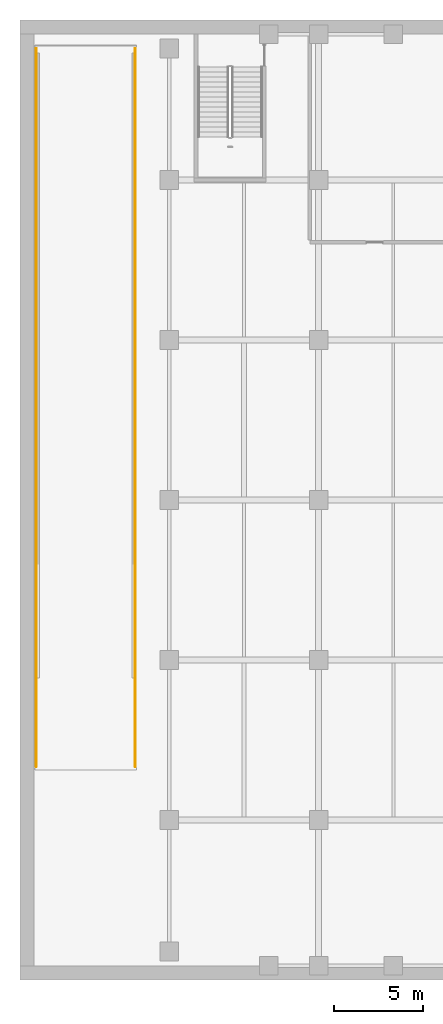
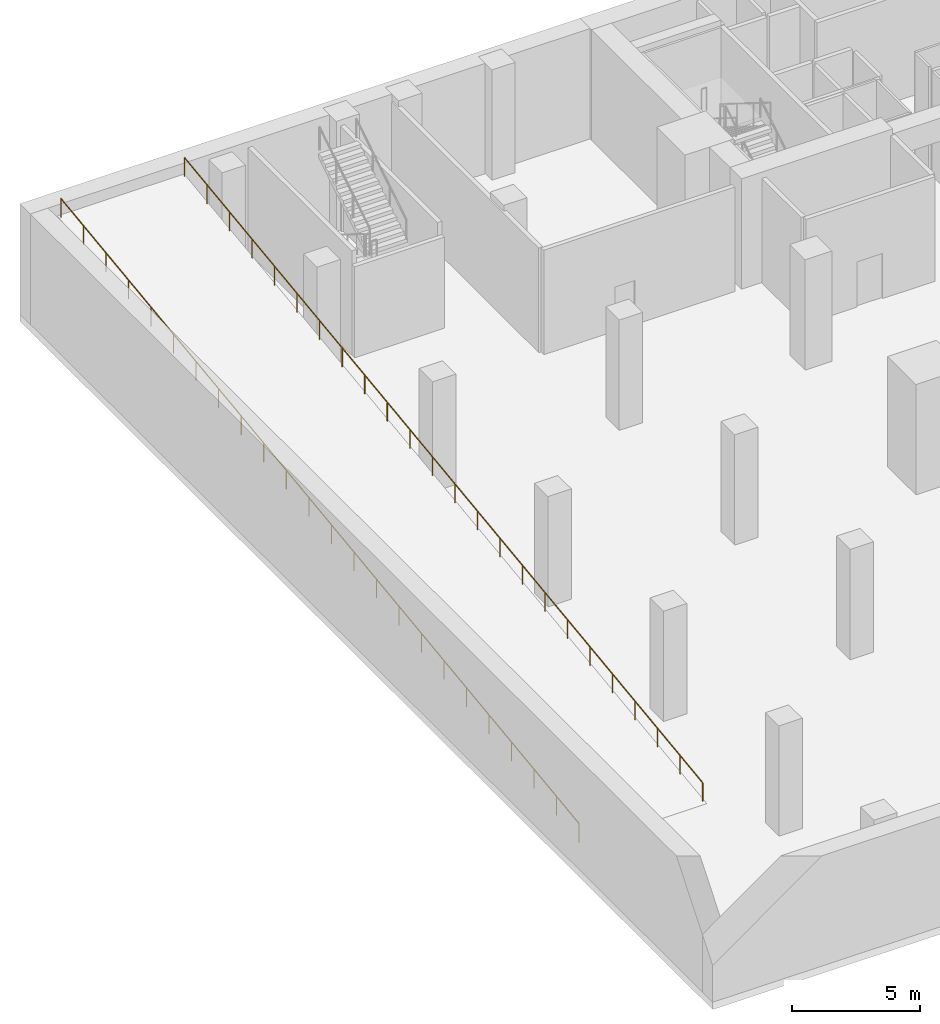
# One storey, part 7 of 10: 2 railings.
"""IFC4 building model written with IfcOpenShell, lengths in metres."""

from ifc_helpers import new_model, si_unit, direction, frame, origin, origin_2d, place, context, subcontext, project, spatial, circle, extrude, material, type_object, element, save


model = new_model("IFC4")

# Units and contexts
model_context = context("Model", 3, precision=1e-05, world=origin(), true_north=direction((0.0, 1.0)))
body_context = subcontext(model_context, "Body", "Model", "MODEL_VIEW")
ifc_project = project(units=[si_unit("LENGTHUNIT", "METRE"), si_unit("AREAUNIT", "SQUARE_METRE"), si_unit("VOLUMEUNIT", "CUBIC_METRE"), si_unit("PLANEANGLEUNIT", "RADIAN"), si_unit("MASSUNIT", "GRAM", prefix="KILO")], contexts=[model_context])

# Site, building, storey
site_placement = place(None, origin())
site = spatial("IfcSite", under=ifc_project, at=site_placement, CompositionType="ELEMENT")
building_placement = place(site_placement, origin())
building = spatial("IfcBuilding", under=site, at=building_placement, Name="Maruvema Waterfront Hotel and Observation Tower", CompositionType="ELEMENT")
storey_placement = place(building_placement, frame((0.0, 0.0, -5.25)))
storey = spatial("IfcBuildingStorey", under=building, at=storey_placement, Name="B01", CompositionType="ELEMENT", Elevation=-5.25)

# Railings
ifc_material = material(Name="Brushed stainless steel Grade 316", Category="steel")
railing_type = type_object("IfcRailingType", Name="Ramp Continuous Wall Handrail 920 mm", PredefinedType="HANDRAIL", material=ifc_material)
railing_1_placement = place(storey_placement, frame((0.919921875, 12.0, 0.0)))
element("IfcRailing", 1, at=railing_1_placement, inside=storey, type_object=railing_type, Name="Vehicle Ramp RMP-01 West Handrail", PredefinedType="HANDRAIL", context=body_context, shape_type="SweptSolid", body=[
    extrude(circle(Radius=0.02392578125, at=origin_2d()), frame((0.0, 0.0, 0.89599609375), z_axis=(0.0, 0.99166185228, 0.128867260128), x_axis=(-1.0, 0.0, 0.0)), (0.0, 0.0, 1.0), 40.739501953125),
    extrude(circle(Radius=0.02099609375, at=origin_2d()), origin(), (0.0, 0.0, 1.0), 0.871826171875),
    extrude(circle(Radius=0.02099609375, at=origin_2d()), frame((0.0, 1.756591796875, 0.228271484375)), (0.0, 0.0, 1.0), 0.871826171875),
    extrude(circle(Radius=0.02099609375, at=origin_2d()), frame((0.0, 3.512939453125, 0.45654296875)), (0.0, 0.0, 1.0), 0.871826171875),
    extrude(circle(Radius=0.02099609375, at=origin_2d()), frame((0.0, 5.26953125, 0.684814453125)), (0.0, 0.0, 1.0), 0.871826171875),
    extrude(circle(Radius=0.02099609375, at=origin_2d()), frame((0.0, 7.026123046875, 0.9130859375)), (0.0, 0.0, 1.0), 0.871826171875),
    extrude(circle(Radius=0.02099609375, at=origin_2d()), frame((0.0, 8.782470703125, 1.141357421875)), (0.0, 0.0, 1.0), 0.871826171875),
    extrude(circle(Radius=0.02099609375, at=origin_2d()), frame((0.0, 10.5390625, 1.36962890625)), (0.0, 0.0, 1.0), 0.871826171875),
    extrude(circle(Radius=0.02099609375, at=origin_2d()), frame((0.0, 12.295654296875, 1.597900390625)), (0.0, 0.0, 1.0), 0.871826171875),
    extrude(circle(Radius=0.02099609375, at=origin_2d()), frame((0.0, 14.05224609375, 1.826171875)), (0.0, 0.0, 1.0), 0.871826171875),
    extrude(circle(Radius=0.02099609375, at=origin_2d()), frame((0.0, 15.80859375, 2.054443359375)), (0.0, 0.0, 1.0), 0.871826171875),
    extrude(circle(Radius=0.02099609375, at=origin_2d()), frame((0.0, 17.565185546875, 2.28271484375)), (0.0, 0.0, 1.0), 0.871826171875),
    extrude(circle(Radius=0.02099609375, at=origin_2d()), frame((0.0, 19.32177734375, 2.510986328125)), (0.0, 0.0, 1.0), 0.871826171875),
    extrude(circle(Radius=0.02099609375, at=origin_2d()), frame((0.0, 21.078125, 2.739013671875)), (0.0, 0.0, 1.0), 0.871826171875),
    extrude(circle(Radius=0.02099609375, at=origin_2d()), frame((0.0, 22.834716796875, 2.96728515625)), (0.0, 0.0, 1.0), 0.871826171875),
    extrude(circle(Radius=0.02099609375, at=origin_2d()), frame((0.0, 24.59130859375, 3.195556640625)), (0.0, 0.0, 1.0), 0.871826171875),
    extrude(circle(Radius=0.02099609375, at=origin_2d()), frame((0.0, 26.34765625, 3.423828125)), (0.0, 0.0, 1.0), 0.871826171875),
    extrude(circle(Radius=0.02099609375, at=origin_2d()), frame((0.0, 28.104248046875, 3.652099609375)), (0.0, 0.0, 1.0), 0.871826171875),
    extrude(circle(Radius=0.02099609375, at=origin_2d()), frame((0.0, 29.86083984375, 3.88037109375)), (0.0, 0.0, 1.0), 0.871826171875),
    extrude(circle(Radius=0.02099609375, at=origin_2d()), frame((0.0, 31.617431640625, 4.108642578125)), (0.0, 0.0, 1.0), 0.871826171875),
    extrude(circle(Radius=0.02099609375, at=origin_2d()), frame((0.0, 33.373779296875, 4.3369140625)), (0.0, 0.0, 1.0), 0.871826171875),
    extrude(circle(Radius=0.02099609375, at=origin_2d()), frame((0.0, 35.13037109375, 4.565185546875)), (0.0, 0.0, 1.0), 0.871826171875),
    extrude(circle(Radius=0.02099609375, at=origin_2d()), frame((0.0, 36.886962890625, 4.79345703125)), (0.0, 0.0, 1.0), 0.871826171875),
    extrude(circle(Radius=0.02099609375, at=origin_2d()), frame((0.0, 38.643310546875, 5.021728515625)), (0.0, 0.0, 1.0), 0.871826171875),
    extrude(circle(Radius=0.02099609375, at=origin_2d()), frame((0.0, 40.39990234375, 5.25)), (0.0, 0.0, 1.0), 0.871826171875),
])
railing_2_placement = place(storey_placement, frame((6.47998046875, 12.0, 0.0)))
element("IfcRailing", 2, at=railing_2_placement, inside=storey, type_object=railing_type, Name="Vehicle Ramp RMP-01 East Handrail", PredefinedType="HANDRAIL", context=body_context, shape_type="SweptSolid", body=[
    extrude(circle(Radius=0.02392578125, at=origin_2d()), frame((0.0, 0.0, 0.89599609375), z_axis=(0.0, 0.99166185228, 0.128867260128), x_axis=(-1.0, 0.0, 0.0)), (0.0, 0.0, 1.0), 40.739501953125),
    extrude(circle(Radius=0.02099609375, at=origin_2d()), origin(), (0.0, 0.0, 1.0), 0.871826171875),
    extrude(circle(Radius=0.02099609375, at=origin_2d()), frame((0.0, 1.756591796875, 0.228271484375)), (0.0, 0.0, 1.0), 0.871826171875),
    extrude(circle(Radius=0.02099609375, at=origin_2d()), frame((0.0, 3.512939453125, 0.45654296875)), (0.0, 0.0, 1.0), 0.871826171875),
    extrude(circle(Radius=0.02099609375, at=origin_2d()), frame((0.0, 5.26953125, 0.684814453125)), (0.0, 0.0, 1.0), 0.871826171875),
    extrude(circle(Radius=0.02099609375, at=origin_2d()), frame((0.0, 7.026123046875, 0.9130859375)), (0.0, 0.0, 1.0), 0.871826171875),
    extrude(circle(Radius=0.02099609375, at=origin_2d()), frame((0.0, 8.782470703125, 1.141357421875)), (0.0, 0.0, 1.0), 0.871826171875),
    extrude(circle(Radius=0.02099609375, at=origin_2d()), frame((0.0, 10.5390625, 1.36962890625)), (0.0, 0.0, 1.0), 0.871826171875),
    extrude(circle(Radius=0.02099609375, at=origin_2d()), frame((0.0, 12.295654296875, 1.597900390625)), (0.0, 0.0, 1.0), 0.871826171875),
    extrude(circle(Radius=0.02099609375, at=origin_2d()), frame((0.0, 14.05224609375, 1.826171875)), (0.0, 0.0, 1.0), 0.871826171875),
    extrude(circle(Radius=0.02099609375, at=origin_2d()), frame((0.0, 15.80859375, 2.054443359375)), (0.0, 0.0, 1.0), 0.871826171875),
    extrude(circle(Radius=0.02099609375, at=origin_2d()), frame((0.0, 17.565185546875, 2.28271484375)), (0.0, 0.0, 1.0), 0.871826171875),
    extrude(circle(Radius=0.02099609375, at=origin_2d()), frame((0.0, 19.32177734375, 2.510986328125)), (0.0, 0.0, 1.0), 0.871826171875),
    extrude(circle(Radius=0.02099609375, at=origin_2d()), frame((0.0, 21.078125, 2.739013671875)), (0.0, 0.0, 1.0), 0.871826171875),
    extrude(circle(Radius=0.02099609375, at=origin_2d()), frame((0.0, 22.834716796875, 2.96728515625)), (0.0, 0.0, 1.0), 0.871826171875),
    extrude(circle(Radius=0.02099609375, at=origin_2d()), frame((0.0, 24.59130859375, 3.195556640625)), (0.0, 0.0, 1.0), 0.871826171875),
    extrude(circle(Radius=0.02099609375, at=origin_2d()), frame((0.0, 26.34765625, 3.423828125)), (0.0, 0.0, 1.0), 0.871826171875),
    extrude(circle(Radius=0.02099609375, at=origin_2d()), frame((0.0, 28.104248046875, 3.652099609375)), (0.0, 0.0, 1.0), 0.871826171875),
    extrude(circle(Radius=0.02099609375, at=origin_2d()), frame((0.0, 29.86083984375, 3.88037109375)), (0.0, 0.0, 1.0), 0.871826171875),
    extrude(circle(Radius=0.02099609375, at=origin_2d()), frame((0.0, 31.617431640625, 4.108642578125)), (0.0, 0.0, 1.0), 0.871826171875),
    extrude(circle(Radius=0.02099609375, at=origin_2d()), frame((0.0, 33.373779296875, 4.3369140625)), (0.0, 0.0, 1.0), 0.871826171875),
    extrude(circle(Radius=0.02099609375, at=origin_2d()), frame((0.0, 35.13037109375, 4.565185546875)), (0.0, 0.0, 1.0), 0.871826171875),
    extrude(circle(Radius=0.02099609375, at=origin_2d()), frame((0.0, 36.886962890625, 4.79345703125)), (0.0, 0.0, 1.0), 0.871826171875),
    extrude(circle(Radius=0.02099609375, at=origin_2d()), frame((0.0, 38.643310546875, 5.021728515625)), (0.0, 0.0, 1.0), 0.871826171875),
    extrude(circle(Radius=0.02099609375, at=origin_2d()), frame((0.0, 40.39990234375, 5.25)), (0.0, 0.0, 1.0), 0.871826171875),
])

save(model, "model.ifc")
